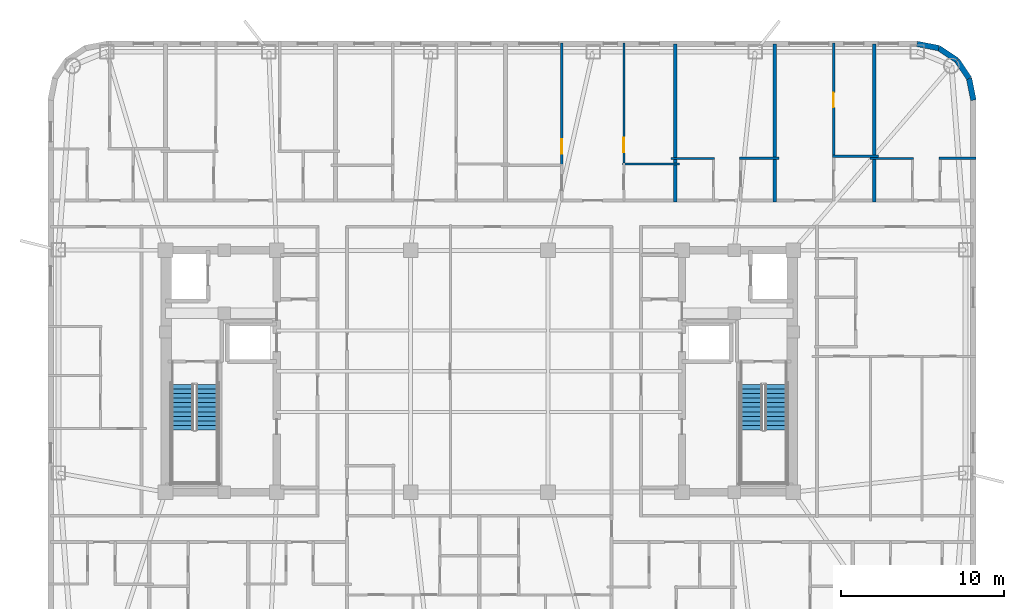
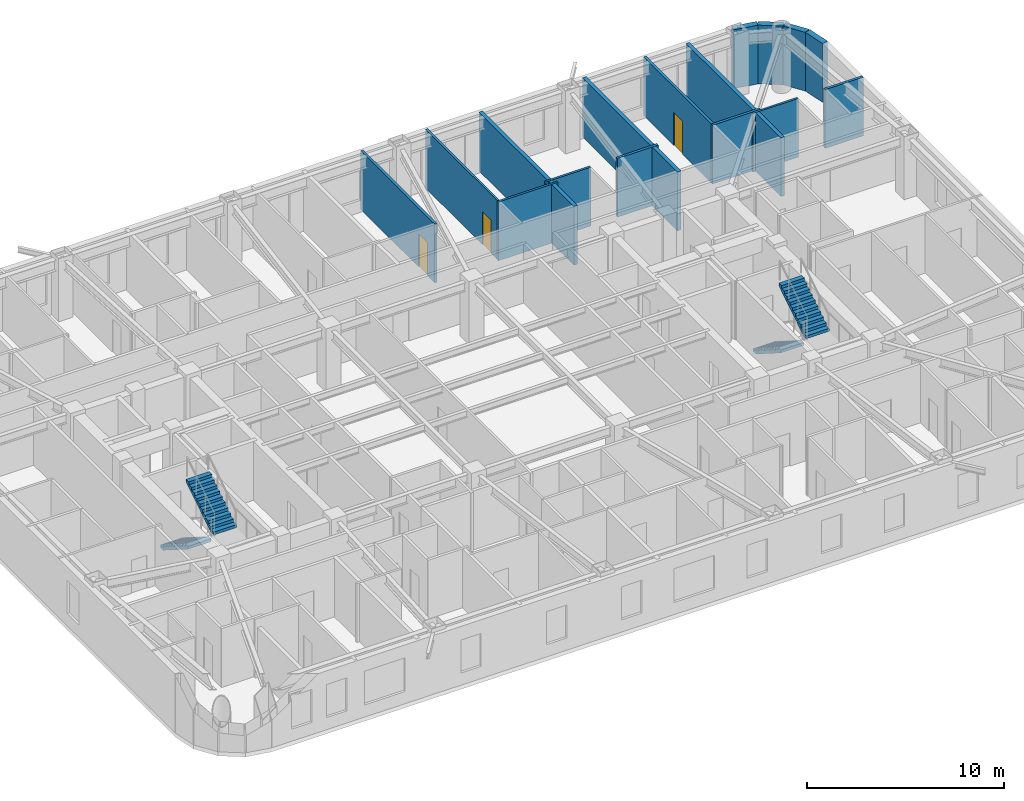
# One storey, part 9 of 11: 16 walls, 4 stair flights, 3 doors, 3 openings, 2 elements without a shape of their own.
"""IFC4 building model written with IfcOpenShell, lengths in metres."""

import ifcopenshell
import ifcopenshell.guid

model = None  # the IFC model being written
_history = None  # IfcOwnerHistory: only IFC2X3 demands one
_inside = {}  # id of a spatial element -> (the spatial element, [elements in it])
_under = {}  # id of a project, library or spatial element -> (it, [spatial elements below it])
_declared = {}  # id of a project -> (the project, [libraries it declares])
_typed = {}  # id of a type object -> (the type object, [elements of that type])
_made_of = {}  # id of a material, layer set ... -> (it, [elements and type objects made of it])


def new_model(schema):
    """Start an empty IFC model of exactly this schema.

    Asked for "IFC4X3", IfcOpenShell would pick the latest addendum, in which some entities
    have other attributes; the version numbers below select the first issue.
    IFC2X3 requires an IfcOwnerHistory on every rooted entity: one is made here for all.
    """
    global model, _history
    if schema == "IFC4X3":
        model = ifcopenshell.file(schema_version=(4, 3, 0, 0))
    else:
        model = ifcopenshell.file(schema=schema)
    _inside.clear()
    _under.clear()
    _declared.clear()
    _typed.clear()
    _made_of.clear()
    _history = None
    if model.schema == "IFC2X3":
        org = make("IfcOrganization", Name="unknown")
        user = make(
            "IfcPersonAndOrganization",
            ThePerson=make("IfcPerson", FamilyName="unknown"),
            TheOrganization=org,
        )
        app = make(
            "IfcApplication",
            ApplicationDeveloper=org,
            Version="unknown",
            ApplicationFullName="unknown",
            ApplicationIdentifier="unknown",
        )
        _history = make(
            "IfcOwnerHistory",
            OwningUser=user,
            OwningApplication=app,
            ChangeAction="ADDED",
            CreationDate=0,
        )
    return model


def make(cls, **values):
    """One entity of the class cls with the attributes given. An attribute that is None is left unset."""
    return model.create_entity(
        cls, **{name: value for name, value in values.items() if value is not None}
    )


def rooted(cls, **values):
    """An entity with a GlobalId (a new one), such as an element, a storey or a relation."""
    return make(cls, GlobalId=ifcopenshell.guid.new(), OwnerHistory=_history, **values)


def si_unit(unit_type, name, prefix=None):
    """IfcSIUnit, for example si_unit("LENGTHUNIT", "METRE", prefix="MILLI")."""
    return make("IfcSIUnit", UnitType=unit_type, Prefix=prefix, Name=name)


def assignment(units):
    """IfcUnitAssignment: the units of a project."""
    return None if units is None else make("IfcUnitAssignment", Units=units)


def point(xyz):
    """IfcCartesianPoint."""
    return None if xyz is None else make("IfcCartesianPoint", Coordinates=xyz)


def direction(xyz):
    """IfcDirection."""
    return None if xyz is None else make("IfcDirection", DirectionRatios=xyz)


def frame(location, z_axis=None, x_axis=None):
    """IfcAxis2Placement3D, a coordinate frame: its origin and axes. An axis left out is left unset."""
    return make(
        "IfcAxis2Placement3D",
        Location=point(location),
        Axis=direction(z_axis),
        RefDirection=direction(x_axis),
    )


def frame_2d(location, x_axis=None):
    """IfcAxis2Placement2D, a coordinate frame in the plane: its origin and x axis."""
    return make(
        "IfcAxis2Placement2D", Location=point(location), RefDirection=direction(x_axis)
    )


def origin():
    """The frame at (0, 0, 0) with its axes left unset."""
    return frame((0.0, 0.0, 0.0))


def place(relative_to, where):
    """IfcLocalPlacement: puts the frame where relative to a parent placement (None: the world)."""
    return make(
        "IfcLocalPlacement", PlacementRelTo=relative_to, RelativePlacement=where
    )


def context(
    kind, dimensions, precision=None, world=None, true_north=None, identifier=None
):
    """IfcGeometricRepresentationContext, for example the 3D "Model" context."""
    return make(
        "IfcGeometricRepresentationContext",
        ContextIdentifier=identifier,
        ContextType=kind,
        CoordinateSpaceDimension=dimensions,
        Precision=precision,
        WorldCoordinateSystem=world,
        TrueNorth=true_north,
    )


def subcontext(parent, identifier, kind, view, scale=None):
    """IfcGeometricRepresentationSubContext, for example "Body" below "Model"."""
    return make(
        "IfcGeometricRepresentationSubContext",
        ContextIdentifier=identifier,
        ContextType=kind,
        ParentContext=parent,
        TargetScale=scale,
        TargetView=view,
    )


def project(units=None, contexts=None):
    """IfcProject with its units and contexts."""
    return rooted(
        "IfcProject",
        Name="project",
        RepresentationContexts=contexts,
        UnitsInContext=assignment(units),
    )


def spatial(cls, under=None, at=None, **own):
    """A site, building, storey or space (cls), placed at a placement, below another one or the project."""
    s = rooted(cls, ObjectPlacement=at, **own)
    if under is not None:
        _under.setdefault(under.id(), (under, []))[1].append(s)
    return s


def polyline(points):
    """IfcPolyline through the points."""
    return make("IfcPolyline", Points=[point(p) for p in points])


def profile(cls, at=None, kind="AREA", **sizes):
    """A parametric profile (cls). Its sizes go by their IFC names, for example OverallWidth=200.0."""
    return make(cls, ProfileType=kind, Position=at, **sizes)


def rectangle(**sizes):
    """IfcRectangleProfileDef."""
    return profile("IfcRectangleProfileDef", **sizes)


def outline(outer, holes=None, kind="AREA"):
    """IfcArbitraryClosedProfileDef: a profile drawn as a closed curve; with holes, ...WithVoids."""
    if holes is None:
        return make("IfcArbitraryClosedProfileDef", ProfileType=kind, OuterCurve=outer)
    return make(
        "IfcArbitraryProfileDefWithVoids",
        ProfileType=kind,
        OuterCurve=outer,
        InnerCurves=holes,
    )


def extrude(swept, where, along, depth):
    """IfcExtrudedAreaSolid: the profile swept, set in the frame where, extruded along a direction by depth."""
    return make(
        "IfcExtrudedAreaSolid",
        SweptArea=swept,
        Position=where,
        ExtrudedDirection=direction(along),
        Depth=depth,
    )


def shape(context_of_items, identifier, shape_type, items):
    """IfcShapeRepresentation: the items that make up one representation, for example the "Body"."""
    return make(
        "IfcShapeRepresentation",
        ContextOfItems=context_of_items,
        RepresentationIdentifier=identifier,
        RepresentationType=shape_type,
        Items=items,
    )


def material(Name=None, Category=None):
    """IfcMaterial."""
    return make("IfcMaterial", Name=Name, Category=Category)


def layer(
    of_material, thickness, ventilated=None, Name=None, Category=None, Priority=None
):
    """IfcMaterialLayer: one layer of a wall or slab, of a material (None: an air gap)."""
    return make(
        "IfcMaterialLayer",
        Material=of_material,
        LayerThickness=thickness,
        IsVentilated=ventilated,
        Name=Name,
        Category=Category,
        Priority=Priority,
    )


def layer_set(layers, Name=None):
    """IfcMaterialLayerSet."""
    return make("IfcMaterialLayerSet", MaterialLayers=layers, LayerSetName=Name)


def made_of(thing, what):
    """Note that an element or type object is made of a material, layer set ...; save() writes the relation."""
    if what is not None:
        _made_of.setdefault(what.id(), (what, []))[1].append(thing)
    return thing


def type_object(cls, material=None, **own):
    """A type object (cls), such as IfcWallType, which elements share."""
    return made_of(rooted(cls, **own), material)


def element(
    cls,
    number,
    at=None,
    inside=None,
    cuts=None,
    type_object=None,
    material=None,
    context=None,
    identifier="Body",
    shape_type=None,
    held_by="IfcProductDefinitionShape",
    body=None,
    shapes=None,
    **own,
):
    """One element of the class cls, such as IfcWall. Its Tag is "e" and its number.

    at: its placement. inside: the storey or other place that contains it. cuts: it is an
    opening in that element (IfcRelVoidsElement). A single representation is given by context,
    identifier, shape_type and body (its items); several are given by shapes. held_by: the class
    of the entity that holds the representations. save() writes the other relations.
    """
    e = rooted(cls, Tag="e%d" % number, ObjectPlacement=at, **own)
    if body is not None:
        shapes = [shape(context, identifier, shape_type, body)]
    if shapes is not None:
        e.Representation = make(held_by, Representations=shapes)
    if inside is not None:
        _inside.setdefault(inside.id(), (inside, []))[1].append(e)
    if cuts is not None:
        rooted(
            "IfcRelVoidsElement", RelatingBuildingElement=cuts, RelatedOpeningElement=e
        )
    if type_object is not None:
        _typed.setdefault(type_object.id(), (type_object, []))[1].append(e)
    return made_of(e, material)


def fill(opening, filler):
    """IfcRelFillsElement: the door or window that sits in an opening."""
    return rooted(
        "IfcRelFillsElement",
        RelatingOpeningElement=opening,
        RelatedBuildingElement=filler,
    )


def aggregate(whole, parts):
    """IfcRelAggregates: a whole, such as a stair, and the parts it consists of."""
    return rooted("IfcRelAggregates", RelatingObject=whole, RelatedObjects=parts)


def save(model, path):
    """Write the relations noted so far, then the file.

    IfcRelAggregates (storeys below a building ...), IfcRelContainedInSpatialStructure (elements
    in a storey), IfcRelDefinesByType, IfcRelAssociatesMaterial and IfcRelDeclares: one each for
    every whole, place, type object, material and project.
    """
    for whole, parts in _under.values():
        aggregate(whole, parts)
    for where, things in _inside.values():
        rooted(
            "IfcRelContainedInSpatialStructure",
            RelatedElements=things,
            RelatingStructure=where,
        )
    for kind, things in _typed.values():
        rooted("IfcRelDefinesByType", RelatedObjects=things, RelatingType=kind)
    for what, things in _made_of.values():
        rooted("IfcRelAssociatesMaterial", RelatedObjects=things, RelatingMaterial=what)
    for by, libraries in _declared.values():
        rooted("IfcRelDeclares", RelatingContext=by, RelatedDefinitions=libraries)
    model.write(path)


model = new_model("IFC4")

# Units and contexts
model_context = context("Model", 3, precision=1e-05, world=origin(), true_north=direction((0.0, 1.0)))
body_context = subcontext(model_context, "Body", "Model", "MODEL_VIEW")
ifc_project = project(units=[si_unit("LENGTHUNIT", "METRE"), si_unit("AREAUNIT", "SQUARE_METRE"), si_unit("VOLUMEUNIT", "CUBIC_METRE"), si_unit("PLANEANGLEUNIT", "RADIAN"), si_unit("MASSUNIT", "GRAM", prefix="KILO")], contexts=[model_context])

# Site, building, storey
site_placement = place(None, origin())
site = spatial("IfcSite", under=ifc_project, at=site_placement, CompositionType="ELEMENT")
building_placement = place(site_placement, origin())
building = spatial("IfcBuilding", under=site, at=building_placement, Name="Voryun Gate Residences", CompositionType="ELEMENT")
storey_placement = place(building_placement, frame((0.0, 0.0, 227.5)))
storey = spatial("IfcBuildingStorey", under=building, at=storey_placement, Name="L56", CompositionType="ELEMENT", Elevation=227.5)

# Walls
ifc_material_1 = material(Name="Charcoal terracotta masonry", Category="masonry")
ifc_layer_1 = layer(ifc_material_1, 0.340087890625, Name="W_EXT_TERRACOTTA_340")
ifc_layer_set_1 = layer_set([ifc_layer_1], Name="Charcoal terracotta masonry")
wall_type_1 = type_object("IfcWallType", Name="W_EXT_TERRACOTTA_340", PredefinedType="ELEMENTEDWALL", material=ifc_layer_set_1)
wall_1_placement = place(storey_placement, frame((26.783203125, 20.030029296875, 0.0), z_axis=(0.0, 0.0, 1.0), x_axis=(0.980788153188, -0.195075878998, 0.0)))
element("IfcWall", 1, at=wall_1_placement, inside=storey, type_object=wall_type_1, Name="Exterior wall WEXT-L56-12", PredefinedType="ELEMENTEDWALL", context=body_context, shape_type="SweptSolid", body=[
    extrude(rectangle(XDim=1.354248046875, YDim=0.340087890625, at=frame_2d((0.67724609375, 0.0))), origin(), (0.0, 0.0, 1.0), 3.64990234375),
])
for number, where, z_axis, x_axis, name in (
    (2, (28.111328125, 19.765869140625, 0.0), (0.0, 0.0, 1.0), (0.831403586725, -0.555669034571, 0.0), "Exterior wall WEXT-L56-13"),
    (3, (29.222900390625, 19.02294921875, 0.0), (0.0, 0.0, 1.0), (0.555669034571, -0.831403586725, 0.0), "Exterior wall WEXT-L56-14"),
):
    element("IfcWall", number, at=place(storey_placement, frame(where, z_axis=z_axis, x_axis=x_axis)), inside=storey, type_object=wall_type_1, Name=name, PredefinedType="ELEMENTEDWALL", context=body_context, shape_type="SweptSolid", body=[
        extrude(rectangle(XDim=1.3369140625, YDim=0.340087890625, at=frame_2d((0.66845703125, 0.0))), origin(), (0.0, 0.0, 1.0), 3.64990234375),
    ])
wall_2_placement = place(storey_placement, frame((29.9658203125, 17.911376953125, 0.0), z_axis=(0.0, 0.0, 1.0), x_axis=(0.195075878998, -0.980788153188, 0.0)))
element("IfcWall", 4, at=wall_2_placement, inside=storey, type_object=wall_type_1, Name="Exterior wall WEXT-L56-15", PredefinedType="ELEMENTEDWALL", context=body_context, shape_type="SweptSolid", body=[
    extrude(rectangle(XDim=1.354248046875, YDim=0.340087890625, at=frame_2d((0.67724609375, 0.0))), origin(), (0.0, 0.0, 1.0), 3.64990234375),
])
ifc_material_2 = material(Name="Concrete C40/50", Category="concrete")
ifc_layer_2 = layer(ifc_material_2, 0.219970703125, Name="W_PARTY_ACOUSTIC_220")
ifc_layer_set_2 = layer_set([ifc_layer_2], Name="Concrete C40/50")
wall_type_2 = type_object("IfcWallType", Name="W_PARTY_ACOUSTIC_220", PredefinedType="PARTITIONING", material=ifc_layer_set_2)
for number, where, z_axis, x_axis, name in (
    (5, (12.0, 10.3701171875, 0.0), (0.0, 0.0, 1.0), (0.0, 1.0, 0.0), "Partition wall WP-L56-NPTY-4"),
    (6, (18.0791015625, 10.3701171875, 0.0), (0.0, 0.0, 1.0), (0.0, 1.0, 0.0), "Partition wall WP-L56-NPTY-5"),
    (7, (24.157958984375, 10.3701171875, 0.0), (0.0, 0.0, 1.0), (0.0, 1.0, 0.0), "Partition wall WP-L56-NPTY-6"),
):
    element("IfcWall", number, at=place(storey_placement, frame(where, z_axis=z_axis, x_axis=x_axis)), inside=storey, type_object=wall_type_2, Name=name, PredefinedType="PARTITIONING", context=body_context, shape_type="SweptSolid", body=[
        extrude(rectangle(XDim=9.659912109375, YDim=0.219970703125, at=frame_2d((4.830078125, 0.0))), origin(), (0.0, 0.0, 1.0), 3.64990234375),
    ])
ifc_material_3 = material(Name="Gypsum acoustic partition")
ifc_layer_3 = layer(ifc_material_3, 0.125, Name="W_UNIT_PART_125")
ifc_layer_set_3 = layer_set([ifc_layer_3], Name="Gypsum acoustic partition")
wall_type_3 = type_object("IfcWallType", Name="W_UNIT_PART_125", PredefinedType="PARTITIONING", material=ifc_layer_set_3)
wall_3_placement = place(storey_placement, frame((8.760009765625, 12.68994140625, 0.0), z_axis=(0.0, 0.0, 1.0), x_axis=(1.0, 0.0, 0.0)))
element("IfcWall", 8, at=wall_3_placement, inside=storey, type_object=wall_type_3, Name="Partition wall WP-L56-N4-RHY", PredefinedType="PARTITIONING", context=body_context, shape_type="SweptSolid", body=[
    extrude(rectangle(XDim=3.5, YDim=0.125, at=frame_2d((1.75, 0.0))), origin(), (0.0, 0.0, 1.0), 3.64990234375),
])

# Wall, opening, door
wall_4_placement = place(storey_placement, frame((8.840087890625, 12.64990234375, 0.0), z_axis=(0.0, 0.0, 1.0), x_axis=(0.0, 1.0, 0.0)))
wall_4 = element("IfcWall", 9, at=wall_4_placement, inside=storey, type_object=wall_type_3, Name="Partition wall WP-L56-N4-RVX2", PredefinedType="PARTITIONING", context=body_context, shape_type="SweptSolid", body=[
    extrude(rectangle(XDim=7.427001953125, YDim=0.125, at=frame_2d((3.71337890625, 0.0))), origin(), (0.0, 0.0, 1.0), 3.64990234375),
])
opening_1_placement = place(wall_4_placement, frame((0.73828125, 0.0, 0.0)))
opening_1 = element("IfcOpeningElement", 10, at=opening_1_placement, cuts=wall_4, Name="Opening D-INT-2", PredefinedType="OPENING", context=body_context, shape_type="SweptSolid", body=[
    extrude(rectangle(XDim=0.89990234375, YDim=2.050048828125, at=frame_2d((0.449951171875, 1.02490234375))), frame((0.0, 0.072509765625, 0.0), z_axis=(0.0, -1.0, 0.0), x_axis=(1.0, 0.0, 0.0)), (0.0, 0.0, 1.0), 0.14501953125),
])
ifc_material_4 = material(Name="Architectural oak veneer")
door_type = type_object("IfcDoorType", Name="DR_INT_BATH_900", OperationType="NOTDEFINED", PredefinedType="DOOR", material=ifc_material_4)
door_1_placement = place(opening_1_placement, origin())
door_1 = element("IfcDoor", 11, at=door_1_placement, inside=storey, type_object=door_type, Name="Door DR-L56-N4-DB2", OperationType="SINGLE_SWING_LEFT", OverallHeight=2.050048828125, OverallWidth=0.89990234375, PredefinedType="DOOR", context=body_context, shape_type="SweptSolid", body=[
    extrude(rectangle(XDim=0.89990234375, YDim=2.050048828125, at=frame_2d((0.449951171875, 1.02490234375))), frame((0.0, 0.02490234375, 0.0), z_axis=(0.0, -1.0, 0.0), x_axis=(1.0, 0.0, 0.0)), (0.0, 0.0, 1.0), 0.050048828125),
])
fill(opening_1, door_1)

# Walls
wall_5_placement = place(storey_placement, frame((11.739990234375, 13.02001953125, 0.0), z_axis=(0.0, 0.0, 1.0), x_axis=(1.0, 0.0, 0.0)))
element("IfcWall", 12, at=wall_5_placement, inside=storey, type_object=wall_type_3, Name="Partition wall WP-L56-N5-CHK", PredefinedType="PARTITIONING", context=body_context, shape_type="SweptSolid", body=[
    extrude(rectangle(XDim=2.64404296875, YDim=0.125, at=frame_2d((1.322021484375, 0.0))), origin(), (0.0, 0.0, 1.0), 3.64990234375),
])
wall_6_placement = place(storey_placement, frame((23.89794921875, 13.02001953125, 0.0), z_axis=(0.0, 0.0, 1.0), x_axis=(1.0, 0.0, 0.0)))
element("IfcWall", 13, at=wall_6_placement, inside=storey, type_object=wall_type_3, Name="Partition wall WP-L56-N7-CHK", PredefinedType="PARTITIONING", context=body_context, shape_type="SweptSolid", body=[
    extrude(rectangle(XDim=2.6669921875, YDim=0.125, at=frame_2d((1.33349609375, 0.0))), origin(), (0.0, 0.0, 1.0), 3.64990234375),
])

# Wall, opening, door
ifc_material_5 = material(Name="Gypsum moisture-resistant partition")
ifc_layer_4 = layer(ifc_material_5, 0.14990234375, Name="W_WET_PLUMB_150")
ifc_layer_set_4 = layer_set([ifc_layer_4], Name="Gypsum moisture-resistant partition")
wall_type_4 = type_object("IfcWallType", Name="W_WET_PLUMB_150", PredefinedType="PLUMBINGWALL", material=ifc_layer_set_4)
wall_7_placement = place(storey_placement, frame((5.052001953125, 12.550048828125, 0.0), z_axis=(0.0, 0.0, 1.0), x_axis=(0.0, 1.0, 0.0)))
wall_7 = element("IfcWall", 14, at=wall_7_placement, inside=storey, type_object=wall_type_4, Name="Partition wall WP-L56-N4-LVX2", PredefinedType="PLUMBINGWALL", context=body_context, shape_type="SweptSolid", body=[
    extrude(rectangle(XDim=7.52685546875, YDim=0.14990234375, at=frame_2d((3.763427734375, 0.0))), origin(), (0.0, 0.0, 1.0), 3.64990234375),
])
opening_2_placement = place(wall_7_placement, frame((0.75439453125, 0.0, 0.0)))
opening_2 = element("IfcOpeningElement", 15, at=opening_2_placement, cuts=wall_7, Name="Opening D-INT-2", PredefinedType="OPENING", context=body_context, shape_type="SweptSolid", body=[
    extrude(rectangle(XDim=0.89990234375, YDim=2.050048828125, at=frame_2d((0.449951171875, 1.02490234375))), frame((0.0, 0.0849609375, 0.0), z_axis=(0.0, -1.0, 0.0), x_axis=(1.0, 0.0, 0.0)), (0.0, 0.0, 1.0), 0.169921875),
])
door_2_placement = place(opening_2_placement, origin())
door_2 = element("IfcDoor", 16, at=door_2_placement, inside=storey, type_object=door_type, Name="Door DR-L56-N4-DMB", OperationType="SINGLE_SWING_RIGHT", OverallHeight=2.050048828125, OverallWidth=0.89990234375, PredefinedType="DOOR", context=body_context, shape_type="SweptSolid", body=[
    extrude(rectangle(XDim=0.89990234375, YDim=2.050048828125, at=frame_2d((0.449951171875, 1.02490234375))), frame((0.0, 0.02490234375, 0.0), z_axis=(0.0, -1.0, 0.0), x_axis=(1.0, 0.0, 0.0)), (0.0, 0.0, 1.0), 0.050048828125),
])
fill(opening_2, door_2)

# Walls
wall_8_placement = place(storey_placement, frame((15.93310546875, 13.02001953125, 0.0), z_axis=(0.0, 0.0, 1.0), x_axis=(1.0, 0.0, 0.0)))
element("IfcWall", 17, at=wall_8_placement, inside=storey, type_object=wall_type_4, Name="Partition wall WP-L56-N5-CHB", PredefinedType="PLUMBINGWALL", context=body_context, shape_type="SweptSolid", body=[
    extrude(rectangle(XDim=2.406005859375, YDim=0.14990234375, at=frame_2d((1.203125, 0.0))), origin(), (0.0, 0.0, 1.0), 3.64990234375),
])
wall_9_placement = place(storey_placement, frame((21.593017578125, 13.14990234375, 0.0), z_axis=(0.0, 0.0, 1.0), x_axis=(1.0, 0.0, 0.0)))
element("IfcWall", 18, at=wall_9_placement, inside=storey, type_object=wall_type_4, Name="Partition wall WP-L56-N6-SKB", PredefinedType="PLUMBINGWALL", context=body_context, shape_type="SweptSolid", body=[
    extrude(rectangle(XDim=2.824951171875, YDim=0.14990234375, at=frame_2d((1.41259765625, 0.0))), origin(), (0.0, 0.0, 1.0), 3.64990234375),
])

# Wall, opening, door
wall_10_placement = place(storey_placement, frame((21.673095703125, 13.110107421875, 0.0), z_axis=(0.0, 0.0, 1.0), x_axis=(0.0, 1.0, 0.0)))
wall_10 = element("IfcWall", 19, at=wall_10_placement, inside=storey, type_object=wall_type_4, Name="Partition wall WP-L56-N6-SVT2", PredefinedType="PLUMBINGWALL", context=body_context, shape_type="SweptSolid", body=[
    extrude(rectangle(XDim=6.966796875, YDim=0.14990234375, at=frame_2d((3.4833984375, 0.0))), origin(), (0.0, 0.0, 1.0), 3.64990234375),
])
opening_3_placement = place(wall_10_placement, frame((3.033447265625, 0.0, 0.0)))
opening_3 = element("IfcOpeningElement", 20, at=opening_3_placement, cuts=wall_10, Name="Opening D-INT-2", PredefinedType="OPENING", context=body_context, shape_type="SweptSolid", body=[
    extrude(rectangle(XDim=0.89990234375, YDim=2.050048828125, at=frame_2d((0.449951171875, 1.02490234375))), frame((0.0, 0.0849609375, 0.0), z_axis=(0.0, -1.0, 0.0), x_axis=(1.0, 0.0, 0.0)), (0.0, 0.0, 1.0), 0.169921875),
])
door_3_placement = place(opening_3_placement, origin())
door_3 = element("IfcDoor", 21, at=door_3_placement, inside=storey, type_object=door_type, Name="Door DR-L56-N6-DK", OperationType="SINGLE_SWING_RIGHT", OverallHeight=2.050048828125, OverallWidth=0.89990234375, PredefinedType="DOOR", context=body_context, shape_type="SweptSolid", body=[
    extrude(rectangle(XDim=0.89990234375, YDim=2.050048828125, at=frame_2d((0.449951171875, 1.02490234375))), frame((0.0, 0.02490234375, 0.0), z_axis=(0.0, -1.0, 0.0), x_axis=(1.0, 0.0, 0.0)), (0.0, 0.0, 1.0), 0.050048828125),
])
fill(opening_3, door_3)

# Wall
wall_11_placement = place(storey_placement, frame((28.1298828125, 13.02001953125, 0.0), z_axis=(0.0, 0.0, 1.0), x_axis=(1.0, 0.0, 0.0)))
element("IfcWall", 22, at=wall_11_placement, inside=storey, type_object=wall_type_4, Name="Partition wall WP-L56-N7-CHB", PredefinedType="PLUMBINGWALL", context=body_context, shape_type="SweptSolid", body=[
    extrude(rectangle(XDim=2.25, YDim=0.14990234375, at=frame_2d((1.125, 0.0))), origin(), (0.0, 0.0, 1.0), 3.64990234375),
])

# Stair, stair flights
ifc_material_6 = material(Name="Concrete C40/50", Category="concrete")
stair_type = type_object("IfcStairType", Name="STR_CORE_DOGLEG_1350", PredefinedType="HALF_TURN_STAIR", material=ifc_material_6)
stair_1_placement = place(storey_placement, origin())
stair_1 = element("IfcStair", 23, at=stair_1_placement, inside=storey, type_object=stair_type, Name="L56 Special Escape Stair ST-W1", PredefinedType="HALF_TURN_STAIR")
ifc_material_7 = material(Name="Concrete C40/50", Category="concrete")
stair_flight_type = type_object("IfcStairFlightType", Name="FLT_CORE_1350", PredefinedType="STRAIGHT", material=ifc_material_7)
stair_flight_1_placement = place(storey_placement, frame((-18.14990234375, -0.800048828125, 0.0), z_axis=(0.0, 0.0, 1.0), x_axis=(0.0, -1.0, 0.0)))
stair_flight_1 = element("IfcStairFlight", 24, at=stair_flight_1_placement, type_object=stair_flight_type, Name="ST-W1 flight 1", NumberOfRisers=11, NumberOfTreads=10, PredefinedType="STRAIGHT", RiserHeight=0.177272727, TreadLength=0.28, context=body_context, shape_type="SweptSolid", body=[
    extrude(outline(polyline([(0.0, 0.0), (0.0, 0.17724609375), (0.280029296875, 0.17724609375), (0.280029296875, 0.3544921875), (0.56005859375, 0.3544921875), (0.56005859375, 0.53173828125), (0.840087890625, 0.53173828125), (0.840087890625, 0.708984375), (1.1201171875, 0.708984375), (1.1201171875, 0.886474609375), (1.39990234375, 0.886474609375), (1.39990234375, 1.063720703125), (1.679931640625, 1.063720703125), (1.679931640625, 1.240966796875), (1.9599609375, 1.240966796875), (1.9599609375, 1.418212890625), (2.239990234375, 1.418212890625), (2.239990234375, 1.595458984375), (2.52001953125, 1.595458984375), (2.52001953125, 1.772705078125), (2.800048828125, 1.772705078125), (2.800048828125, 1.949951171875), (2.800048828125, 1.59521484375), (0.2802734375, 0.0), (0.0, 0.0)])), frame((0.0, 0.675048828125, 0.0), z_axis=(0.0, -1.0, 0.0), x_axis=(1.0, 0.0, 0.0)), (0.0, 0.0, 1.0), 1.35009765625),
])
stair_flight_2_placement = place(storey_placement, frame((-16.64990234375, -3.60009765625, 1.949951171875), z_axis=(0.0, 0.0, 1.0), x_axis=(0.0, 1.0, 0.0)))
stair_flight_2 = element("IfcStairFlight", 25, at=stair_flight_2_placement, type_object=stair_flight_type, Name="ST-W1 flight 2", NumberOfRisers=11, NumberOfTreads=10, PredefinedType="STRAIGHT", RiserHeight=0.177272727, TreadLength=0.28, context=body_context, shape_type="SweptSolid", body=[
    extrude(outline(polyline([(0.0, 0.0), (0.0, 0.17724609375), (0.280029296875, 0.17724609375), (0.280029296875, 0.3544921875), (0.56005859375, 0.3544921875), (0.56005859375, 0.53173828125), (0.840087890625, 0.53173828125), (0.840087890625, 0.708984375), (1.1201171875, 0.708984375), (1.1201171875, 0.886474609375), (1.39990234375, 0.886474609375), (1.39990234375, 1.063720703125), (1.679931640625, 1.063720703125), (1.679931640625, 1.240966796875), (1.9599609375, 1.240966796875), (1.9599609375, 1.418212890625), (2.239990234375, 1.418212890625), (2.239990234375, 1.595458984375), (2.52001953125, 1.595458984375), (2.52001953125, 1.772705078125), (2.800048828125, 1.772705078125), (2.800048828125, 1.949951171875), (2.800048828125, 1.59521484375), (0.2802734375, 0.0), (0.0, 0.0)])), frame((0.0, 0.675048828125, 0.0), z_axis=(0.0, -1.0, 0.0), x_axis=(1.0, 0.0, 0.0)), (0.0, 0.0, 1.0), 1.35009765625),
])
aggregate(stair_1, [stair_flight_1, stair_flight_2])

stair_2_placement = place(storey_placement, origin())
stair_2 = element("IfcStair", 26, at=stair_2_placement, inside=storey, type_object=stair_type, Name="L56 Special Escape Stair ST-E1", PredefinedType="HALF_TURN_STAIR")
stair_flight_3_placement = place(storey_placement, frame((16.64990234375, -0.800048828125, 0.0), z_axis=(0.0, 0.0, 1.0), x_axis=(0.0, -1.0, 0.0)))
stair_flight_3 = element("IfcStairFlight", 27, at=stair_flight_3_placement, type_object=stair_flight_type, Name="ST-E1 flight 1", NumberOfRisers=11, NumberOfTreads=10, PredefinedType="STRAIGHT", RiserHeight=0.177272727, TreadLength=0.28, context=body_context, shape_type="SweptSolid", body=[
    extrude(outline(polyline([(0.0, 0.0), (0.0, 0.17724609375), (0.280029296875, 0.17724609375), (0.280029296875, 0.3544921875), (0.56005859375, 0.3544921875), (0.56005859375, 0.53173828125), (0.840087890625, 0.53173828125), (0.840087890625, 0.708984375), (1.1201171875, 0.708984375), (1.1201171875, 0.886474609375), (1.39990234375, 0.886474609375), (1.39990234375, 1.063720703125), (1.679931640625, 1.063720703125), (1.679931640625, 1.240966796875), (1.9599609375, 1.240966796875), (1.9599609375, 1.418212890625), (2.239990234375, 1.418212890625), (2.239990234375, 1.595458984375), (2.52001953125, 1.595458984375), (2.52001953125, 1.772705078125), (2.800048828125, 1.772705078125), (2.800048828125, 1.949951171875), (2.800048828125, 1.59521484375), (0.2802734375, 0.0), (0.0, 0.0)])), frame((0.0, 0.675048828125, 0.0), z_axis=(0.0, -1.0, 0.0), x_axis=(1.0, 0.0, 0.0)), (0.0, 0.0, 1.0), 1.35009765625),
])
stair_flight_4_placement = place(storey_placement, frame((18.14990234375, -3.60009765625, 1.949951171875), z_axis=(0.0, 0.0, 1.0), x_axis=(0.0, 1.0, 0.0)))
stair_flight_4 = element("IfcStairFlight", 28, at=stair_flight_4_placement, type_object=stair_flight_type, Name="ST-E1 flight 2", NumberOfRisers=11, NumberOfTreads=10, PredefinedType="STRAIGHT", RiserHeight=0.177272727, TreadLength=0.28, context=body_context, shape_type="SweptSolid", body=[
    extrude(outline(polyline([(0.0, 0.0), (0.0, 0.17724609375), (0.280029296875, 0.17724609375), (0.280029296875, 0.3544921875), (0.56005859375, 0.3544921875), (0.56005859375, 0.53173828125), (0.840087890625, 0.53173828125), (0.840087890625, 0.708984375), (1.1201171875, 0.708984375), (1.1201171875, 0.886474609375), (1.39990234375, 0.886474609375), (1.39990234375, 1.063720703125), (1.679931640625, 1.063720703125), (1.679931640625, 1.240966796875), (1.9599609375, 1.240966796875), (1.9599609375, 1.418212890625), (2.239990234375, 1.418212890625), (2.239990234375, 1.595458984375), (2.52001953125, 1.595458984375), (2.52001953125, 1.772705078125), (2.800048828125, 1.772705078125), (2.800048828125, 1.949951171875), (2.800048828125, 1.59521484375), (0.2802734375, 0.0), (0.0, 0.0)])), frame((0.0, 0.675048828125, 0.0), z_axis=(0.0, -1.0, 0.0), x_axis=(1.0, 0.0, 0.0)), (0.0, 0.0, 1.0), 1.35009765625),
])
aggregate(stair_2, [stair_flight_3, stair_flight_4])

save(model, "model.ifc")
